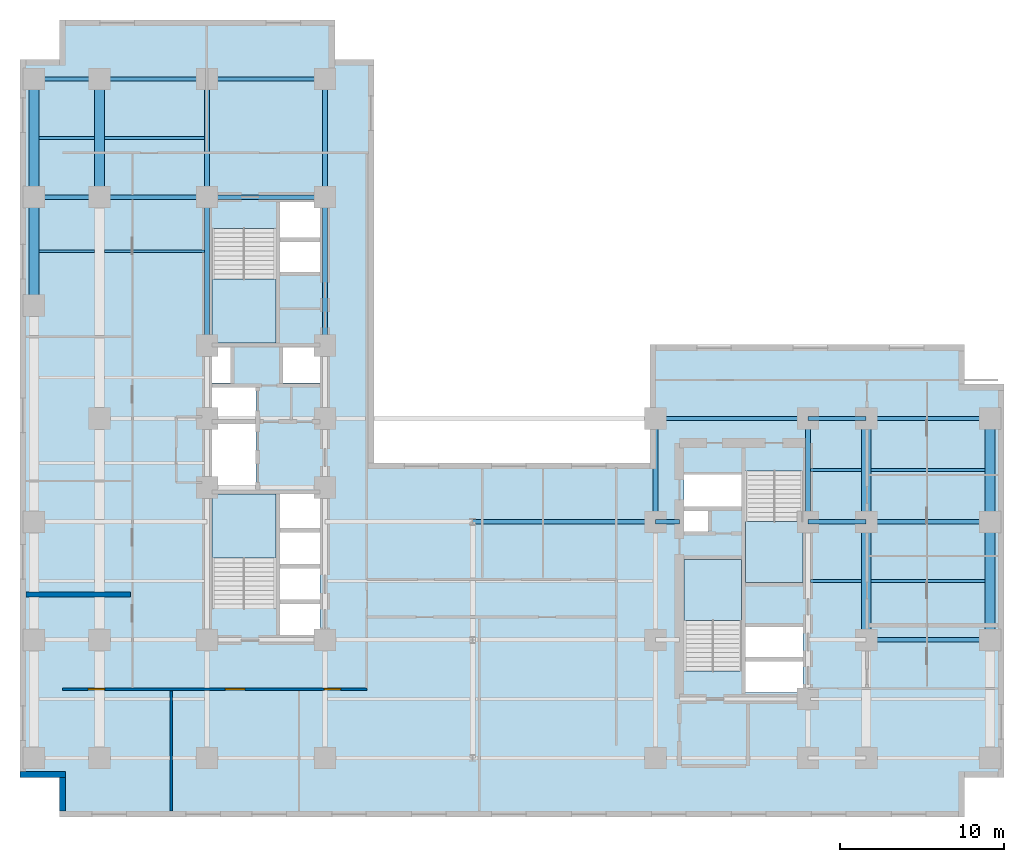
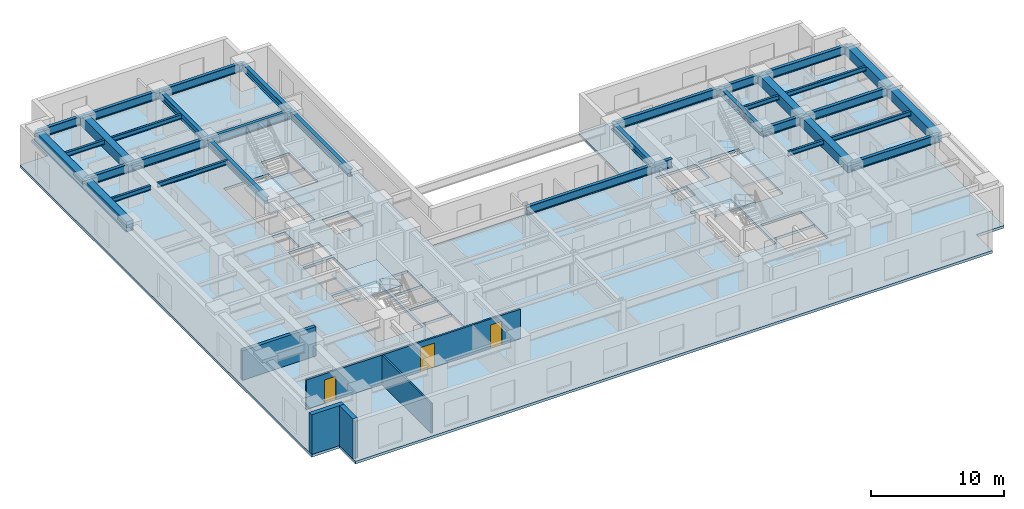
# One storey, part 2 of 10: 35 beams, 5 slabs, 5 walls, 3 doors, 3 openings, 4 elements without a shape of their own.
"""IFC4 building model written with IfcOpenShell, lengths in metres."""

from ifc_helpers import new_model, entity, si_unit, converted_unit, direction, frame, origin_with_axes, origin_2d_with_axis, place, context, subcontext, project, spatial, polyline, rectangle, i_section, outline, extrude, material, layer, layer_set, material_profile, profile_set, type_object, element, fill, aggregate, save


model = new_model("IFC4")

# Units and contexts
model_context = context("Model", 3, precision=1e-05, world=origin_with_axes(), true_north=direction((0.0, 1.0)))
body_context = subcontext(model_context, "Body", "Model", "MODEL_VIEW")
ifc_project = project(units=[si_unit("LENGTHUNIT", "METRE"), si_unit("AREAUNIT", "SQUARE_METRE"), si_unit("VOLUMEUNIT", "CUBIC_METRE"), converted_unit("PLANEANGLEUNIT", "DEGREE", entity("IfcPlaneAngleMeasure", 0.017453292519943295), si_unit("PLANEANGLEUNIT", "RADIAN"), dimensions=[0, 0, 0, 0, 0, 0, 0]), si_unit("MASSUNIT", "GRAM", prefix="KILO"), si_unit("THERMODYNAMICTEMPERATUREUNIT", "KELVIN")], contexts=[model_context])

# Site, building, storey
site_placement = place(None, origin_with_axes())
site = spatial("IfcSite", under=ifc_project, at=site_placement, CompositionType="ELEMENT")
building_placement = place(site_placement, origin_with_axes())
building = spatial("IfcBuilding", under=site, at=building_placement, Name="Varnlund Millrace Tower", CompositionType="ELEMENT")
storey_placement = place(building_placement, frame((0.0, 0.0, 44.4), z_axis=(0.0, 0.0, 1.0), x_axis=(1.0, 0.0, 0.0)))
storey = spatial("IfcBuildingStorey", under=building, at=storey_placement, Name="L10", CompositionType="ELEMENT", Elevation=44.4)

# Beams
ifc_material_1 = material(Name="Steel ASTM A992 Grade 50", Category="steel")
ifc_material_profile_1 = material_profile(ifc_material_1, i_section(OverallWidth=0.328, OverallDepth=0.628, WebThickness=0.0165, FlangeThickness=0.0277, FilletRadius=0.018, at=origin_2d_with_axis()), Name="Steel ASTM A992 Grade 50")
ifc_profile_set_1 = profile_set([ifc_material_profile_1], Name="Steel ASTM A992 Grade 50")
beam_type_1 = type_object("IfcBeamType", Name="Type-Girder-W24X146", PredefinedType="USERDEFINED", material=ifc_profile_set_1)
beam_1_placement = place(storey_placement, frame((11.4, 28.75, 3.346), z_axis=(0.0, 1.0, 0.0), x_axis=(-1.0, 0.0, 0.0)))
element("IfcBeam", 1, at=beam_1_placement, inside=storey, type_object=beam_type_1, Name="Type-Girder-W24X146", ObjectType="GIRDER", PredefinedType="USERDEFINED", context=body_context, shape_type="SweptSolid", body=[
    extrude(i_section(OverallWidth=0.328, OverallDepth=0.628, WebThickness=0.0165, FlangeThickness=0.0277, FilletRadius=0.018, at=origin_2d_with_axis()), origin_with_axes(), (0.0, 0.0, 1.0), 9.05),
])
beam_2_placement = place(storey_placement, frame((11.4, 37.8, 3.346), z_axis=(0.0, 1.0, 0.0), x_axis=(-1.0, 0.0, 0.0)))
element("IfcBeam", 2, at=beam_2_placement, inside=storey, type_object=beam_type_1, Name="Type-Girder-W24X146", ObjectType="GIRDER", PredefinedType="USERDEFINED", context=body_context, shape_type="SweptSolid", body=[
    extrude(i_section(OverallWidth=0.328, OverallDepth=0.628, WebThickness=0.0165, FlangeThickness=0.0277, FilletRadius=0.018, at=origin_2d_with_axis()), origin_with_axes(), (0.0, 0.0, 1.0), 7.2),
])
beam_3_placement = place(storey_placement, frame((18.6, 28.75, 3.346), z_axis=(0.0, 1.0, 0.0), x_axis=(-1.0, 0.0, 0.0)))
element("IfcBeam", 3, at=beam_3_placement, inside=storey, type_object=beam_type_1, Name="Type-Girder-W24X146", ObjectType="GIRDER", PredefinedType="USERDEFINED", context=body_context, shape_type="SweptSolid", body=[
    extrude(i_section(OverallWidth=0.328, OverallDepth=0.628, WebThickness=0.0165, FlangeThickness=0.0277, FilletRadius=0.018, at=origin_2d_with_axis()), origin_with_axes(), (0.0, 0.0, 1.0), 9.05),
])
beam_4_placement = place(storey_placement, frame((18.6, 37.8, 3.346), z_axis=(0.0, 1.0, 0.0), x_axis=(-1.0, 0.0, 0.0)))
element("IfcBeam", 4, at=beam_4_placement, inside=storey, type_object=beam_type_1, Name="Type-Girder-W24X146", ObjectType="GIRDER", PredefinedType="USERDEFINED", context=body_context, shape_type="SweptSolid", body=[
    extrude(i_section(OverallWidth=0.328, OverallDepth=0.628, WebThickness=0.0165, FlangeThickness=0.0277, FilletRadius=0.018, at=origin_2d_with_axis()), origin_with_axes(), (0.0, 0.0, 1.0), 7.2),
])
for number, where, z_axis, x_axis, name in (
    (5, (38.75, 18.0, 3.346), (0.0, 1.0, 0.0), (-1.0, 0.0, 0.0), "Type-Girder-W24X146"),
    (6, (48.05, 18.0, 3.346), (0.0, 1.0, 0.0), (-1.0, 0.0, 0.0), "Type-Girder-W24X146"),
):
    element("IfcBeam", number, at=place(storey_placement, frame(where, z_axis=z_axis, x_axis=x_axis)), inside=storey, type_object=beam_type_1, Name=name, ObjectType="GIRDER", PredefinedType="USERDEFINED", context=body_context, shape_type="SweptSolid", body=[
        extrude(i_section(OverallWidth=0.328, OverallDepth=0.628, WebThickness=0.0165, FlangeThickness=0.0277, FilletRadius=0.018, at=origin_2d_with_axis()), origin_with_axes(), (0.0, 0.0, 1.0), 6.3),
    ])
ifc_material_profile_2 = material_profile(ifc_material_1, i_section(OverallWidth=0.266, OverallDepth=0.779, WebThickness=0.0165, FlangeThickness=0.03, FilletRadius=0.02, at=origin_2d_with_axis()), Name="Steel ASTM A992 Grade 50")
ifc_profile_set_2 = profile_set([ifc_material_profile_2], Name="Steel ASTM A992 Grade 50")
beam_type_2 = type_object("IfcBeamType", Name="Type-Girder-W30X148", PredefinedType="USERDEFINED", material=ifc_profile_set_2)
beam_5_placement = place(storey_placement, frame((51.6, 10.8, 3.2705), z_axis=(1.0, 0.0, 0.0), x_axis=(0.0, 1.0, 0.0)))
element("IfcBeam", 7, at=beam_5_placement, inside=storey, type_object=beam_type_2, Name="Type-Girder-W30X148", ObjectType="GIRDER", PredefinedType="USERDEFINED", context=body_context, shape_type="SweptSolid", body=[
    extrude(i_section(OverallWidth=0.266, OverallDepth=0.779, WebThickness=0.0165, FlangeThickness=0.03, FilletRadius=0.02, at=origin_2d_with_axis()), origin_with_axes(), (0.0, 0.0, 1.0), 7.55),
])
beam_6_placement = place(storey_placement, frame((27.6, 18.0, 3.2705), z_axis=(1.0, 0.0, 0.0), x_axis=(0.0, 1.0, 0.0)))
element("IfcBeam", 8, at=beam_6_placement, inside=storey, type_object=beam_type_2, Name="Type-Girder-W30X148", ObjectType="GIRDER", PredefinedType="USERDEFINED", context=body_context, shape_type="SweptSolid", body=[
    extrude(i_section(OverallWidth=0.266, OverallDepth=0.779, WebThickness=0.0165, FlangeThickness=0.03, FilletRadius=0.02, at=origin_2d_with_axis()), origin_with_axes(), (0.0, 0.0, 1.0), 11.15),
])
beam_7_placement = place(storey_placement, frame((38.75, 18.0, 3.2705), z_axis=(1.0, 0.0, 0.0), x_axis=(0.0, 1.0, 0.0)))
element("IfcBeam", 9, at=beam_7_placement, inside=storey, type_object=beam_type_2, Name="Type-Girder-W30X148", ObjectType="GIRDER", PredefinedType="USERDEFINED", context=body_context, shape_type="SweptSolid", body=[
    extrude(i_section(OverallWidth=0.266, OverallDepth=0.779, WebThickness=0.0165, FlangeThickness=0.03, FilletRadius=0.02, at=origin_2d_with_axis()), origin_with_axes(), (0.0, 0.0, 1.0), 1.45),
])
beam_8_placement = place(storey_placement, frame((48.05, 18.0, 3.2705), z_axis=(1.0, 0.0, 0.0), x_axis=(0.0, 1.0, 0.0)))
element("IfcBeam", 10, at=beam_8_placement, inside=storey, type_object=beam_type_2, Name="Type-Girder-W30X148", ObjectType="GIRDER", PredefinedType="USERDEFINED", context=body_context, shape_type="SweptSolid", body=[
    extrude(i_section(OverallWidth=0.266, OverallDepth=0.779, WebThickness=0.0165, FlangeThickness=0.03, FilletRadius=0.02, at=origin_2d_with_axis()), origin_with_axes(), (0.0, 0.0, 1.0), 3.55),
])
beam_9_placement = place(storey_placement, frame((51.6, 18.0, 3.2705), z_axis=(1.0, 0.0, 0.0), x_axis=(0.0, 1.0, 0.0)))
element("IfcBeam", 11, at=beam_9_placement, inside=storey, type_object=beam_type_2, Name="Type-Girder-W30X148", ObjectType="GIRDER", PredefinedType="USERDEFINED", context=body_context, shape_type="SweptSolid", body=[
    extrude(i_section(OverallWidth=0.266, OverallDepth=0.779, WebThickness=0.0165, FlangeThickness=0.03, FilletRadius=0.02, at=origin_2d_with_axis()), origin_with_axes(), (0.0, 0.0, 1.0), 7.55),
])
beam_10_placement = place(storey_placement, frame((38.75, 24.3, 3.2705), z_axis=(1.0, 0.0, 0.0), x_axis=(0.0, 1.0, 0.0)))
element("IfcBeam", 12, at=beam_10_placement, inside=storey, type_object=beam_type_2, Name="Type-Girder-W30X148", ObjectType="GIRDER", PredefinedType="USERDEFINED", context=body_context, shape_type="SweptSolid", body=[
    extrude(i_section(OverallWidth=0.266, OverallDepth=0.779, WebThickness=0.0165, FlangeThickness=0.03, FilletRadius=0.02, at=origin_2d_with_axis()), origin_with_axes(), (0.0, 0.0, 1.0), 9.3),
])
beam_11_placement = place(storey_placement, frame((48.05, 24.3, 3.2705), z_axis=(1.0, 0.0, 0.0), x_axis=(0.0, 1.0, 0.0)))
element("IfcBeam", 13, at=beam_11_placement, inside=storey, type_object=beam_type_2, Name="Type-Girder-W30X148", ObjectType="GIRDER", PredefinedType="USERDEFINED", context=body_context, shape_type="SweptSolid", body=[
    extrude(i_section(OverallWidth=0.266, OverallDepth=0.779, WebThickness=0.0165, FlangeThickness=0.03, FilletRadius=0.02, at=origin_2d_with_axis()), origin_with_axes(), (0.0, 0.0, 1.0), 3.55),
])
beam_12_placement = place(storey_placement, frame((51.6, 24.3, 3.2705), z_axis=(1.0, 0.0, 0.0), x_axis=(0.0, 1.0, 0.0)))
element("IfcBeam", 14, at=beam_12_placement, inside=storey, type_object=beam_type_2, Name="Type-Girder-W30X148", ObjectType="GIRDER", PredefinedType="USERDEFINED", context=body_context, shape_type="SweptSolid", body=[
    extrude(i_section(OverallWidth=0.266, OverallDepth=0.779, WebThickness=0.0165, FlangeThickness=0.03, FilletRadius=0.02, at=origin_2d_with_axis()), origin_with_axes(), (0.0, 0.0, 1.0), 7.55),
])
beam_13_placement = place(storey_placement, frame((0.85, 37.8, 3.2705), z_axis=(1.0, 0.0, 0.0), x_axis=(0.0, 1.0, 0.0)))
element("IfcBeam", 15, at=beam_13_placement, inside=storey, type_object=beam_type_2, Name="Type-Girder-W30X148", ObjectType="GIRDER", PredefinedType="USERDEFINED", context=body_context, shape_type="SweptSolid", body=[
    extrude(i_section(OverallWidth=0.266, OverallDepth=0.779, WebThickness=0.0165, FlangeThickness=0.03, FilletRadius=0.02, at=origin_2d_with_axis()), origin_with_axes(), (0.0, 0.0, 1.0), 4.0),
])
beam_14_placement = place(storey_placement, frame((4.85, 37.8, 3.2705), z_axis=(1.0, 0.0, 0.0), x_axis=(0.0, 1.0, 0.0)))
element("IfcBeam", 16, at=beam_14_placement, inside=storey, type_object=beam_type_2, Name="Type-Girder-W30X148", ObjectType="GIRDER", PredefinedType="USERDEFINED", context=body_context, shape_type="SweptSolid", body=[
    extrude(i_section(OverallWidth=0.266, OverallDepth=0.779, WebThickness=0.0165, FlangeThickness=0.03, FilletRadius=0.02, at=origin_2d_with_axis()), origin_with_axes(), (0.0, 0.0, 1.0), 6.55),
])
beam_15_placement = place(storey_placement, frame((11.4, 37.8, 3.2705), z_axis=(1.0, 0.0, 0.0), x_axis=(0.0, 1.0, 0.0)))
element("IfcBeam", 17, at=beam_15_placement, inside=storey, type_object=beam_type_2, Name="Type-Girder-W30X148", ObjectType="GIRDER", PredefinedType="USERDEFINED", context=body_context, shape_type="SweptSolid", body=[
    extrude(i_section(OverallWidth=0.266, OverallDepth=0.779, WebThickness=0.0165, FlangeThickness=0.03, FilletRadius=0.02, at=origin_2d_with_axis()), origin_with_axes(), (0.0, 0.0, 1.0), 7.2),
])
beam_16_placement = place(storey_placement, frame((0.85, 45.0, 3.2705), z_axis=(1.0, 0.0, 0.0), x_axis=(0.0, 1.0, 0.0)))
element("IfcBeam", 18, at=beam_16_placement, inside=storey, type_object=beam_type_2, Name="Type-Girder-W30X148", ObjectType="GIRDER", PredefinedType="USERDEFINED", context=body_context, shape_type="SweptSolid", body=[
    extrude(i_section(OverallWidth=0.266, OverallDepth=0.779, WebThickness=0.0165, FlangeThickness=0.03, FilletRadius=0.02, at=origin_2d_with_axis()), origin_with_axes(), (0.0, 0.0, 1.0), 4.0),
])
beam_17_placement = place(storey_placement, frame((4.85, 45.0, 3.2705), z_axis=(1.0, 0.0, 0.0), x_axis=(0.0, 1.0, 0.0)))
element("IfcBeam", 19, at=beam_17_placement, inside=storey, type_object=beam_type_2, Name="Type-Girder-W30X148", ObjectType="GIRDER", PredefinedType="USERDEFINED", context=body_context, shape_type="SweptSolid", body=[
    extrude(i_section(OverallWidth=0.266, OverallDepth=0.779, WebThickness=0.0165, FlangeThickness=0.03, FilletRadius=0.02, at=origin_2d_with_axis()), origin_with_axes(), (0.0, 0.0, 1.0), 6.55),
])
beam_18_placement = place(storey_placement, frame((11.4, 45.0, 3.2705), z_axis=(1.0, 0.0, 0.0), x_axis=(0.0, 1.0, 0.0)))
element("IfcBeam", 20, at=beam_18_placement, inside=storey, type_object=beam_type_2, Name="Type-Girder-W30X148", ObjectType="GIRDER", PredefinedType="USERDEFINED", context=body_context, shape_type="SweptSolid", body=[
    extrude(i_section(OverallWidth=0.266, OverallDepth=0.779, WebThickness=0.0165, FlangeThickness=0.03, FilletRadius=0.02, at=origin_2d_with_axis()), origin_with_axes(), (0.0, 0.0, 1.0), 7.2),
])
ifc_material_profile_3 = material_profile(ifc_material_1, i_section(OverallWidth=0.181, OverallDepth=0.417, WebThickness=0.0109, FlangeThickness=0.0182, FilletRadius=0.013, at=origin_2d_with_axis()), Name="Steel ASTM A992 Grade 50")
ifc_profile_set_3 = profile_set([ifc_material_profile_3], Name="Steel ASTM A992 Grade 50")
beam_type_3 = type_object("IfcBeamType", Name="Type-Joist-W16X57", PredefinedType="JOIST", material=ifc_profile_set_3)
for number, where, z_axis, x_axis, name in (
    (21, (1.15, 34.5, 3.4515), (1.0, 0.0, 0.0), (0.0, 1.0, 0.0), "Type-Joist-W16X57"),
    (22, (1.15, 41.4, 3.4515), (1.0, 0.0, 0.0), (0.0, 1.0, 0.0), "Type-Joist-W16X57"),
):
    element("IfcBeam", number, at=place(storey_placement, frame(where, z_axis=z_axis, x_axis=x_axis)), inside=storey, type_object=beam_type_3, Name=name, PredefinedType="JOIST", context=body_context, shape_type="SweptSolid", body=[
        extrude(i_section(OverallWidth=0.181, OverallDepth=0.417, WebThickness=0.0109, FlangeThickness=0.0182, FilletRadius=0.013, at=origin_2d_with_axis()), origin_with_axes(), (0.0, 0.0, 1.0), 3.4),
    ])
for number, where, z_axis, x_axis, name in (
    (23, (5.15, 34.5, 3.4515), (1.0, 0.0, 0.0), (0.0, 1.0, 0.0), "Type-Joist-W16X57"),
    (24, (5.15, 41.4, 3.4515), (1.0, 0.0, 0.0), (0.0, 1.0, 0.0), "Type-Joist-W16X57"),
):
    element("IfcBeam", number, at=place(storey_placement, frame(where, z_axis=z_axis, x_axis=x_axis)), inside=storey, type_object=beam_type_3, Name=name, PredefinedType="JOIST", context=body_context, shape_type="SweptSolid", body=[
        extrude(i_section(OverallWidth=0.181, OverallDepth=0.417, WebThickness=0.0109, FlangeThickness=0.0182, FilletRadius=0.013, at=origin_2d_with_axis()), origin_with_axes(), (0.0, 0.0, 1.0), 6.086),
    ])
for number, where, z_axis, x_axis, name in (
    (25, (48.214, 14.4, 3.4515), (1.0, 0.0, 0.0), (0.0, 1.0, 0.0), "Type-Joist-W16X57"),
    (26, (48.214, 21.15, 3.4515), (1.0, 0.0, 0.0), (0.0, 1.0, 0.0), "Type-Joist-W16X57"),
):
    element("IfcBeam", number, at=place(storey_placement, frame(where, z_axis=z_axis, x_axis=x_axis)), inside=storey, type_object=beam_type_3, Name=name, PredefinedType="JOIST", context=body_context, shape_type="SweptSolid", body=[
        extrude(i_section(OverallWidth=0.181, OverallDepth=0.417, WebThickness=0.0109, FlangeThickness=0.0182, FilletRadius=0.013, at=origin_2d_with_axis()), origin_with_axes(), (0.0, 0.0, 1.0), 3.086),
    ])
for number, where, z_axis, x_axis, name in (
    (27, (51.9, 14.4, 3.4515), (1.0, 0.0, 0.0), (0.0, 1.0, 0.0), "Type-Joist-W16X57"),
    (28, (51.9, 21.15, 3.4515), (1.0, 0.0, 0.0), (0.0, 1.0, 0.0), "Type-Joist-W16X57"),
):
    element("IfcBeam", number, at=place(storey_placement, frame(where, z_axis=z_axis, x_axis=x_axis)), inside=storey, type_object=beam_type_3, Name=name, PredefinedType="JOIST", context=body_context, shape_type="SweptSolid", body=[
        extrude(i_section(OverallWidth=0.181, OverallDepth=0.417, WebThickness=0.0109, FlangeThickness=0.0182, FilletRadius=0.013, at=origin_2d_with_axis()), origin_with_axes(), (0.0, 0.0, 1.0), 6.95),
    ])
ifc_material_2 = material(Name="Concrete C70/85", Category="concrete")
ifc_material_profile_4 = material_profile(ifc_material_2, rectangle(XDim=0.6, YDim=0.9, at=origin_2d_with_axis()), Name="Concrete C70/85")
ifc_profile_set_4 = profile_set([ifc_material_profile_4], Name="Concrete C70/85")
beam_type_4 = type_object("IfcBeamType", Name="Type-Spandrel-RC600X900", PredefinedType="SPANDREL", material=ifc_profile_set_4)
beam_19_placement = place(storey_placement, frame((0.85, 31.2, 3.21), z_axis=(0.0, 1.0, 0.0), x_axis=(-1.0, 0.0, 0.0)))
element("IfcBeam", 29, at=beam_19_placement, inside=storey, type_object=beam_type_4, Name="Type-Spandrel-RC600X900", PredefinedType="SPANDREL", context=body_context, shape_type="SweptSolid", body=[
    extrude(rectangle(XDim=0.6, YDim=0.9, at=origin_2d_with_axis()), origin_with_axes(), (0.0, 0.0, 1.0), 6.6),
])
for number, where, z_axis, x_axis, name in (
    (30, (0.85, 37.8, 3.21), (0.0, 1.0, 0.0), (-1.0, 0.0, 0.0), "Type-Spandrel-RC600X900"),
    (31, (4.85, 37.8, 3.21), (0.0, 1.0, 0.0), (-1.0, 0.0, 0.0), "Type-Spandrel-RC600X900"),
    (32, (51.6, 10.8, 3.21), (0.0, 1.0, 0.0), (-1.0, 0.0, 0.0), "Type-Spandrel-RC600X900"),
):
    element("IfcBeam", number, at=place(storey_placement, frame(where, z_axis=z_axis, x_axis=x_axis)), inside=storey, type_object=beam_type_4, Name=name, PredefinedType="SPANDREL", context=body_context, shape_type="SweptSolid", body=[
        extrude(rectangle(XDim=0.6, YDim=0.9, at=origin_2d_with_axis()), origin_with_axes(), (0.0, 0.0, 1.0), 7.2),
    ])
beam_20_placement = place(storey_placement, frame((51.6, 18.0, 3.21), z_axis=(0.0, 1.0, 0.0), x_axis=(-1.0, 0.0, 0.0)))
element("IfcBeam", 33, at=beam_20_placement, inside=storey, type_object=beam_type_4, Name="Type-Spandrel-RC600X900", PredefinedType="SPANDREL", context=body_context, shape_type="SweptSolid", body=[
    extrude(rectangle(XDim=0.6, YDim=0.9, at=origin_2d_with_axis()), origin_with_axes(), (0.0, 0.0, 1.0), 6.3),
])
beam_21_placement = place(storey_placement, frame((59.15, 10.8, 3.21), z_axis=(0.0, 1.0, 0.0), x_axis=(-1.0, 0.0, 0.0)))
element("IfcBeam", 34, at=beam_21_placement, inside=storey, type_object=beam_type_4, Name="Type-Spandrel-RC600X900", PredefinedType="SPANDREL", context=body_context, shape_type="SweptSolid", body=[
    extrude(rectangle(XDim=0.6, YDim=0.9, at=origin_2d_with_axis()), origin_with_axes(), (0.0, 0.0, 1.0), 7.2),
])
beam_22_placement = place(storey_placement, frame((59.15, 18.0, 3.21), z_axis=(0.0, 1.0, 0.0), x_axis=(-1.0, 0.0, 0.0)))
element("IfcBeam", 35, at=beam_22_placement, inside=storey, type_object=beam_type_4, Name="Type-Spandrel-RC600X900", PredefinedType="SPANDREL", context=body_context, shape_type="SweptSolid", body=[
    extrude(rectangle(XDim=0.6, YDim=0.9, at=origin_2d_with_axis()), origin_with_axes(), (0.0, 0.0, 1.0), 6.3),
])

# Slab
ifc_material_3 = material(Name="Concrete C60/75", Category="concrete")
ifc_layer_1 = layer(ifc_material_3, 0.24, Name="Concrete C60/75")
ifc_layer_set_1 = layer_set([ifc_layer_1], Name="Concrete C60/75")
slab_type_1 = type_object("IfcSlabType", Name="Type-Deck-Plate-Typical-240", PredefinedType="FLOOR", material=ifc_layer_set_1)
slab_1_placement = place(storey_placement, frame((0.0, 0.0, -0.24), z_axis=(0.0, 0.0, 1.0), x_axis=(1.0, 0.0, 0.0)))
element("IfcSlab", 36, at=slab_1_placement, inside=storey, type_object=slab_type_1, Name="Type-Deck-Plate-Typical-240", PredefinedType="FLOOR", context=body_context, shape_type="SweptSolid", body=[
    extrude(outline(polyline([(21.6, 21.6), (21.6, 46.2), (19.2, 46.2), (19.2, 48.6), (2.4, 48.6), (2.4, 46.2), (0.0, 46.2), (0.0, 2.4), (2.4, 2.4), (2.4, 0.0), (57.6, 0.0), (57.6, 2.4), (60.0, 2.4), (60.0, 26.4), (57.6, 26.4), (57.6, 28.8), (38.4, 28.8), (38.4, 21.6), (21.6, 21.6)]), holes=[polyline([(18.3, 11.1), (15.84, 11.1), (15.84, 13.1), (18.3, 13.1), (18.3, 11.1)]), polyline([(18.3, 13.16), (15.84, 13.16), (15.84, 15.24), (18.3, 15.24), (18.3, 13.16)]), polyline([(15.6, 12.715), (11.7, 12.715), (11.7, 19.7), (15.6, 19.7), (15.6, 12.715)]), polyline([(18.3, 15.34), (15.84, 15.34), (15.84, 17.46), (18.3, 17.46), (18.3, 15.34)]), polyline([(18.3, 17.52), (15.84, 17.52), (15.84, 19.7), (18.3, 19.7), (18.3, 17.52)]), polyline([(14.38, 23.98), (14.38, 19.94), (11.7, 19.94), (11.7, 23.98), (14.38, 23.98)]), polyline([(11.7, 24.24), (11.7, 26.2), (14.38, 26.2), (14.38, 24.24), (11.7, 24.24)]), polyline([(11.7, 26.46), (11.7, 28.65), (12.84, 28.65), (12.84, 26.46), (11.7, 26.46)]), polyline([(15.6, 28.9), (11.7, 28.9), (11.7, 35.885), (15.6, 35.885), (15.6, 28.9)]), polyline([(47.75, 7.6), (44.25, 7.6), (44.25, 9.6), (47.75, 9.6), (47.75, 7.6)]), polyline([(47.75, 9.66), (44.25, 9.66), (44.25, 11.68), (47.75, 11.68), (47.75, 9.66)]), polyline([(40.5, 8.915), (40.5, 15.7), (44.0, 15.7), (44.0, 8.915), (40.5, 8.915)]), polyline([(44.25, 14.3), (44.25, 21.085), (47.75, 21.085), (47.75, 14.3), (44.25, 14.3)]), polyline([(41.95, 17.42), (40.5, 17.42), (40.5, 18.72), (41.95, 18.72), (41.95, 17.42)]), polyline([(44.0, 18.88), (40.5, 18.88), (40.5, 20.94), (44.0, 20.94), (44.0, 18.88)]), polyline([(18.3, 26.46), (16.04, 26.46), (16.04, 28.65), (18.3, 28.65), (18.3, 26.46)]), polyline([(15.84, 33.12), (15.84, 35.18), (18.3, 35.18), (18.3, 33.12), (15.84, 33.12)]), polyline([(15.84, 35.22), (15.84, 37.5), (18.3, 37.5), (18.3, 35.22), (15.84, 35.22)])]), origin_with_axes(), (0.0, 0.0, 1.0), 0.24),
])

# Stair, slab
ifc_material_4 = material(Name="Concrete C50/60", Category="concrete")
stair_type_1 = type_object("IfcStairType", Name="Type-Stair-Dogleg-185-390", PredefinedType="HALF_TURN_STAIR", material=ifc_material_4)
stair_1_placement = place(storey_placement, origin_with_axes())
stair_1 = element("IfcStair", 37, at=stair_1_placement, inside=storey, type_object=stair_type_1, Name="Type-Stair-Dogleg-185-390", PredefinedType="HALF_TURN_STAIR")
ifc_layer_2 = layer(ifc_material_4, 0.2, Name="Concrete C50/60")
ifc_layer_set_2 = layer_set([ifc_layer_2], Name="Concrete C50/60")
slab_type_2 = type_object("IfcSlabType", Name="Type-StairLanding-200", PredefinedType="LANDING", material=ifc_layer_set_2)
slab_2_placement = place(storey_placement, frame((0.0, 0.0, 1.75), z_axis=(0.0, 0.0, 1.0), x_axis=(1.0, 0.0, 0.0)))
slab_2 = element("IfcSlab", 38, at=slab_2_placement, type_object=slab_type_2, Name="ST-A1 landing 1", PredefinedType="LANDING", context=body_context, shape_type="SweptSolid", body=[
    extrude(outline(polyline([(15.6, 15.78), (15.6, 19.7), (11.7, 19.7), (11.7, 15.78), (15.6, 15.78)])), origin_with_axes(), (0.0, 0.0, 1.0), 0.2),
])
aggregate(stair_1, [slab_2])

stair_2_placement = place(storey_placement, origin_with_axes())
stair_2 = element("IfcStair", 39, at=stair_2_placement, inside=storey, type_object=stair_type_1, Name="Type-Stair-Dogleg-185-390", PredefinedType="HALF_TURN_STAIR")
slab_3_placement = place(storey_placement, frame((0.0, 0.0, 1.75), z_axis=(0.0, 0.0, 1.0), x_axis=(1.0, 0.0, 0.0)))
slab_3 = element("IfcSlab", 40, at=slab_3_placement, type_object=slab_type_2, Name="ST-A2 landing 1", PredefinedType="LANDING", context=body_context, shape_type="SweptSolid", body=[
    extrude(outline(polyline([(11.7, 32.82), (11.7, 28.9), (15.6, 28.9), (15.6, 32.82), (11.7, 32.82)])), origin_with_axes(), (0.0, 0.0, 1.0), 0.2),
])
aggregate(stair_2, [slab_3])

stair_type_2 = type_object("IfcStairType", Name="Type-Stair-Dogleg-165-390", PredefinedType="HALF_TURN_STAIR", material=ifc_material_4)
stair_3_placement = place(storey_placement, origin_with_axes())
stair_3 = element("IfcStair", 41, at=stair_3_placement, inside=storey, type_object=stair_type_2, Name="Type-Stair-Dogleg-165-390", PredefinedType="HALF_TURN_STAIR")
slab_4_placement = place(storey_placement, frame((0.0, 0.0, 1.75), z_axis=(0.0, 0.0, 1.0), x_axis=(1.0, 0.0, 0.0)))
slab_4 = element("IfcSlab", 42, at=slab_4_placement, type_object=slab_type_2, Name="ST-B1 landing 1", PredefinedType="LANDING", context=body_context, shape_type="SweptSolid", body=[
    extrude(outline(polyline([(44.0, 11.98), (44.0, 15.7), (40.5, 15.7), (40.5, 11.98), (44.0, 11.98)])), origin_with_axes(), (0.0, 0.0, 1.0), 0.2),
])
aggregate(stair_3, [slab_4])

stair_4_placement = place(storey_placement, origin_with_axes())
stair_4 = element("IfcStair", 43, at=stair_4_placement, inside=storey, type_object=stair_type_2, Name="Type-Stair-Dogleg-165-390", PredefinedType="HALF_TURN_STAIR")
slab_5_placement = place(storey_placement, frame((0.0, 0.0, 1.75), z_axis=(0.0, 0.0, 1.0), x_axis=(1.0, 0.0, 0.0)))
slab_5 = element("IfcSlab", 44, at=slab_5_placement, type_object=slab_type_2, Name="ST-B2 landing 1", PredefinedType="LANDING", context=body_context, shape_type="SweptSolid", body=[
    extrude(outline(polyline([(44.25, 18.02), (44.25, 14.3), (47.75, 14.3), (47.75, 18.02), (44.25, 18.02)])), origin_with_axes(), (0.0, 0.0, 1.0), 0.2),
])
aggregate(stair_4, [slab_5])

# Walls
ifc_material_5 = material(Name="Precast concrete C50/60", Category="concrete")
ifc_layer_3 = layer(ifc_material_5, 0.38, Name="Precast concrete C50/60")
ifc_layer_set_3 = layer_set([ifc_layer_3], Name="Precast concrete C50/60")
wall_type_1 = type_object("IfcWallType", Name="Type-ExtWall-Precast-Tube-380", PredefinedType="SOLIDWALL", material=ifc_layer_set_3)
wall_1_placement = place(storey_placement, frame((2.59, 0.38, 0.0), z_axis=(0.0, 0.0, 1.0), x_axis=(0.0, 1.0, 0.0)))
element("IfcWall", 45, at=wall_1_placement, inside=storey, type_object=wall_type_1, Name="Type-ExtWall-Precast-Tube-380", PredefinedType="SOLIDWALL", context=body_context, shape_type="SweptSolid", body=[
    extrude(outline(polyline([(0.0, -0.19), (2.02, -0.19), (2.02, 0.19), (0.0, 0.19), (0.0, -0.19)])), origin_with_axes(), (0.0, 0.0, 1.0), 3.66),
])
wall_2_placement = place(storey_placement, frame((2.78, 2.59, 0.0), z_axis=(0.0, 0.0, 1.0), x_axis=(-1.0, 0.0, 0.0)))
element("IfcWall", 46, at=wall_2_placement, inside=storey, type_object=wall_type_1, Name="Type-ExtWall-Precast-Tube-380", PredefinedType="SOLIDWALL", context=body_context, shape_type="SweptSolid", body=[
    extrude(outline(polyline([(0.0, -0.19), (2.78, -0.19), (2.78, 0.19), (0.0, 0.19), (0.0, -0.19)])), origin_with_axes(), (0.0, 0.0, 1.0), 3.66),
])
ifc_material_6 = material(Name="Double-stud STC-60 conference acoustic partition", Category="gypsum")
ifc_layer_4 = layer(ifc_material_6, 0.28, Name="Double-stud STC-60 conference acoustic partition")
ifc_layer_set_4 = layer_set([ifc_layer_4], Name="Double-stud STC-60 conference acoustic partition")
wall_type_2 = type_object("IfcWallType", Name="Type-Partition-Acoustic-280", PredefinedType="PARTITIONING", material=ifc_layer_set_4)
wall_3_placement = place(storey_placement, frame((0.375, 13.569, 0.0), z_axis=(0.0, 0.0, 1.0), x_axis=(1.0, 0.0, 0.0)))
element("IfcWall", 47, at=wall_3_placement, inside=storey, type_object=wall_type_2, Name="Type-Partition-Acoustic-280", PredefinedType="PARTITIONING", context=body_context, shape_type="SweptSolid", body=[
    extrude(outline(polyline([(0.0, -0.14), (6.355, -0.14), (6.355, 0.14), (0.0, 0.14), (0.0, -0.14)])), origin_with_axes(), (0.0, 0.0, 1.0), 2.7),
])

# Wall, openings, doors
ifc_material_7 = material(Name="Fire-rated gypsum board on cold-formed steel framing", Category="steel")
ifc_layer_5 = layer(ifc_material_7, 0.16, Name="Fire-rated gypsum board on cold-formed steel framing")
ifc_layer_set_5 = layer_set([ifc_layer_5], Name="Fire-rated gypsum board on cold-formed steel framing")
wall_type_3 = type_object("IfcWallType", Name="Type-Partition-Corridor-160", PredefinedType="PARTITIONING", material=ifc_layer_set_5)
wall_4_placement = place(storey_placement, frame((2.6, 7.8, 0.0), z_axis=(0.0, 0.0, 1.0), x_axis=(1.0, 0.0, 0.0)))
wall_4 = element("IfcWall", 48, at=wall_4_placement, inside=storey, type_object=wall_type_3, Name="Type-Partition-Corridor-160", PredefinedType="PARTITIONING", context=body_context, shape_type="SweptSolid", body=[
    extrude(outline(polyline([(0.0, -0.08), (18.55, -0.08), (18.55, 0.08), (0.0, 0.08), (0.0, -0.08)])), origin_with_axes(), (0.0, 0.0, 1.0), 2.7),
])
opening_1_placement = place(wall_4_placement, frame((2.059, 0.0, 0.0), z_axis=(0.0, 0.0, 1.0), x_axis=(1.0, 0.0, 0.0)))
opening_1 = element("IfcOpeningElement", 49, at=opening_1_placement, cuts=wall_4, Name="Opening L10:DR-WAS-01", PredefinedType="OPENING", context=body_context, shape_type="SweptSolid", body=[
    extrude(rectangle(XDim=1.0, YDim=0.18, at=origin_2d_with_axis()), origin_with_axes(), (0.0, 0.0, 1.0), 2.15),
])
opening_2_placement = place(wall_4_placement, frame((10.516, 0.0, 0.0), z_axis=(0.0, 0.0, 1.0), x_axis=(1.0, 0.0, 0.0)))
opening_2 = element("IfcOpeningElement", 50, at=opening_2_placement, cuts=wall_4, Name="Opening L10:DR-WAS-02", PredefinedType="OPENING", context=body_context, shape_type="SweptSolid", body=[
    extrude(rectangle(XDim=1.2, YDim=0.18, at=origin_2d_with_axis()), origin_with_axes(), (0.0, 0.0, 1.0), 2.2),
])
opening_3_placement = place(wall_4_placement, frame((16.4525, 0.0, 0.0), z_axis=(0.0, 0.0, 1.0), x_axis=(1.0, 0.0, 0.0)))
opening_3 = element("IfcOpeningElement", 51, at=opening_3_placement, cuts=wall_4, Name="Opening L10:DR-WAS-03", PredefinedType="OPENING", context=body_context, shape_type="SweptSolid", body=[
    extrude(rectangle(XDim=1.0, YDim=0.18, at=origin_2d_with_axis()), origin_with_axes(), (0.0, 0.0, 1.0), 2.15),
])
ifc_material_8 = material(Name="Wide executive white oak acoustic door")
door_type_1 = type_object("IfcDoorType", Name="Type-IntDoor-Exec-1200X2200", OperationType="NOTDEFINED", PredefinedType="DOOR", material=ifc_material_8)
door_1_placement = place(wall_4_placement, frame((10.516, 0.0, 0.0), z_axis=(0.0, 0.0, 1.0), x_axis=(1.0, 0.0, 0.0)))
door_1 = element("IfcDoor", 52, at=door_1_placement, inside=storey, type_object=door_type_1, Name="Type-IntDoor-Exec-1200X2200", OperationType="SINGLE_SWING_RIGHT", OverallHeight=2.2, OverallWidth=1.2, PredefinedType="DOOR", context=body_context, shape_type="SweptSolid", body=[
    extrude(rectangle(XDim=1.2, YDim=0.09, at=origin_2d_with_axis()), origin_with_axes(), (0.0, 0.0, 1.0), 2.2),
])
fill(opening_2, door_1)
ifc_material_9 = material(Name="Solid-core white oak and bronze frame door")
door_type_2 = type_object("IfcDoorType", Name="Type-IntDoor-Office-1000X2150", OperationType="NOTDEFINED", PredefinedType="DOOR", material=ifc_material_9)
door_2_placement = place(wall_4_placement, frame((2.059, 0.0, 0.0), z_axis=(0.0, 0.0, 1.0), x_axis=(1.0, 0.0, 0.0)))
door_2 = element("IfcDoor", 53, at=door_2_placement, inside=storey, type_object=door_type_2, Name="Type-IntDoor-Office-1000X2150", OperationType="SINGLE_SWING_LEFT", OverallHeight=2.15, OverallWidth=1.0, PredefinedType="DOOR", context=body_context, shape_type="SweptSolid", body=[
    extrude(rectangle(XDim=1.0, YDim=0.09, at=origin_2d_with_axis()), origin_with_axes(), (0.0, 0.0, 1.0), 2.15),
])
fill(opening_1, door_2)
door_3_placement = place(wall_4_placement, frame((16.4525, 0.0, 0.0), z_axis=(0.0, 0.0, 1.0), x_axis=(1.0, 0.0, 0.0)))
door_3 = element("IfcDoor", 54, at=door_3_placement, inside=storey, type_object=door_type_2, Name="Type-IntDoor-Office-1000X2150", OperationType="SINGLE_SWING_LEFT", OverallHeight=2.15, OverallWidth=1.0, PredefinedType="DOOR", context=body_context, shape_type="SweptSolid", body=[
    extrude(rectangle(XDim=1.0, YDim=0.09, at=origin_2d_with_axis()), origin_with_axes(), (0.0, 0.0, 1.0), 2.15),
])
fill(opening_3, door_3)

# Wall
ifc_material_10 = material(Name="Acoustic STC-50 gypsum board partition", Category="gypsum")
ifc_layer_6 = layer(ifc_material_10, 0.15, Name="Acoustic STC-50 gypsum board partition")
ifc_layer_set_6 = layer_set([ifc_layer_6], Name="Acoustic STC-50 gypsum board partition")
wall_type_4 = type_object("IfcWallType", Name="Type-Partition-Demising-150", PredefinedType="PARTITIONING", material=ifc_layer_set_6)
wall_5_placement = place(storey_placement, frame((9.227, 0.36, 0.0), z_axis=(0.0, 0.0, 1.0), x_axis=(0.0, 1.0, 0.0)))
element("IfcWall", 55, at=wall_5_placement, inside=storey, type_object=wall_type_4, Name="Type-Partition-Demising-150", PredefinedType="PARTITIONING", context=body_context, shape_type="SweptSolid", body=[
    extrude(outline(polyline([(0.0, -0.075), (7.34, -0.075), (7.34, 0.075), (0.0, 0.075), (0.0, -0.075)])), origin_with_axes(), (0.0, 0.0, 1.0), 2.7),
])

save(model, "model.ifc")
